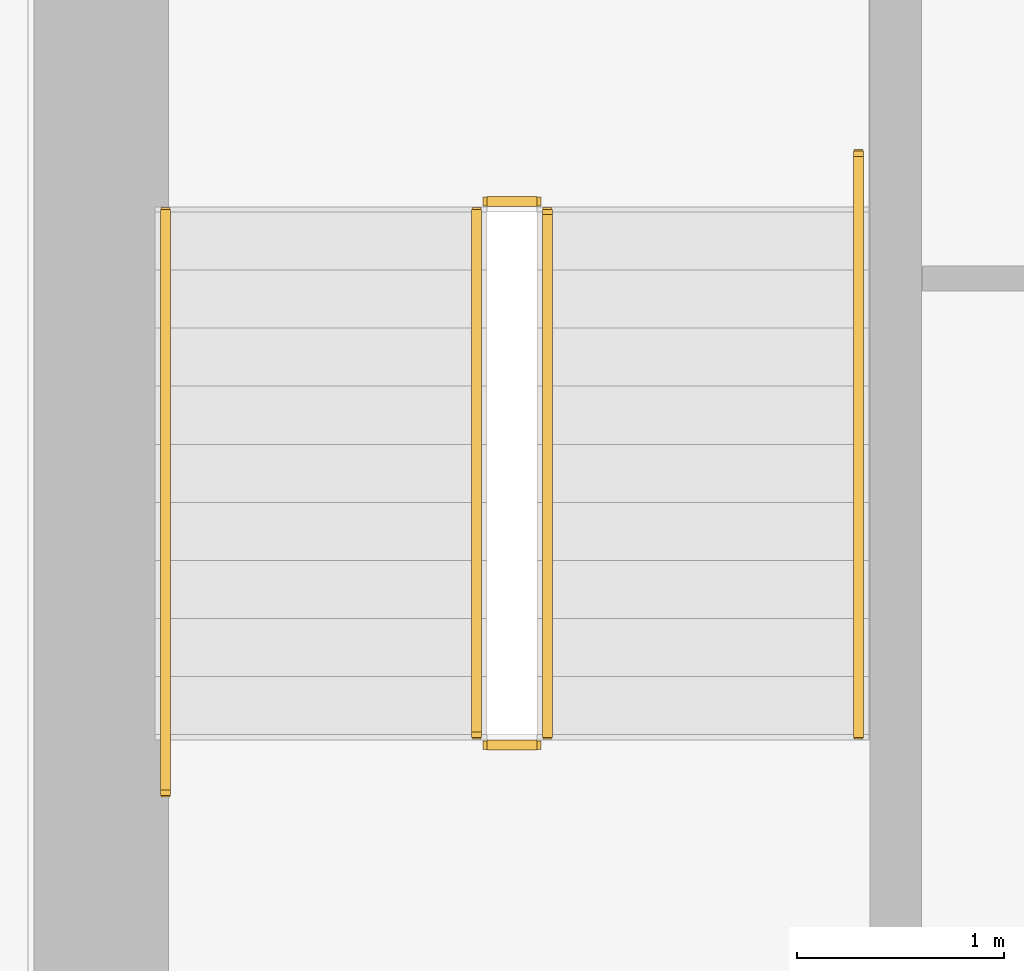
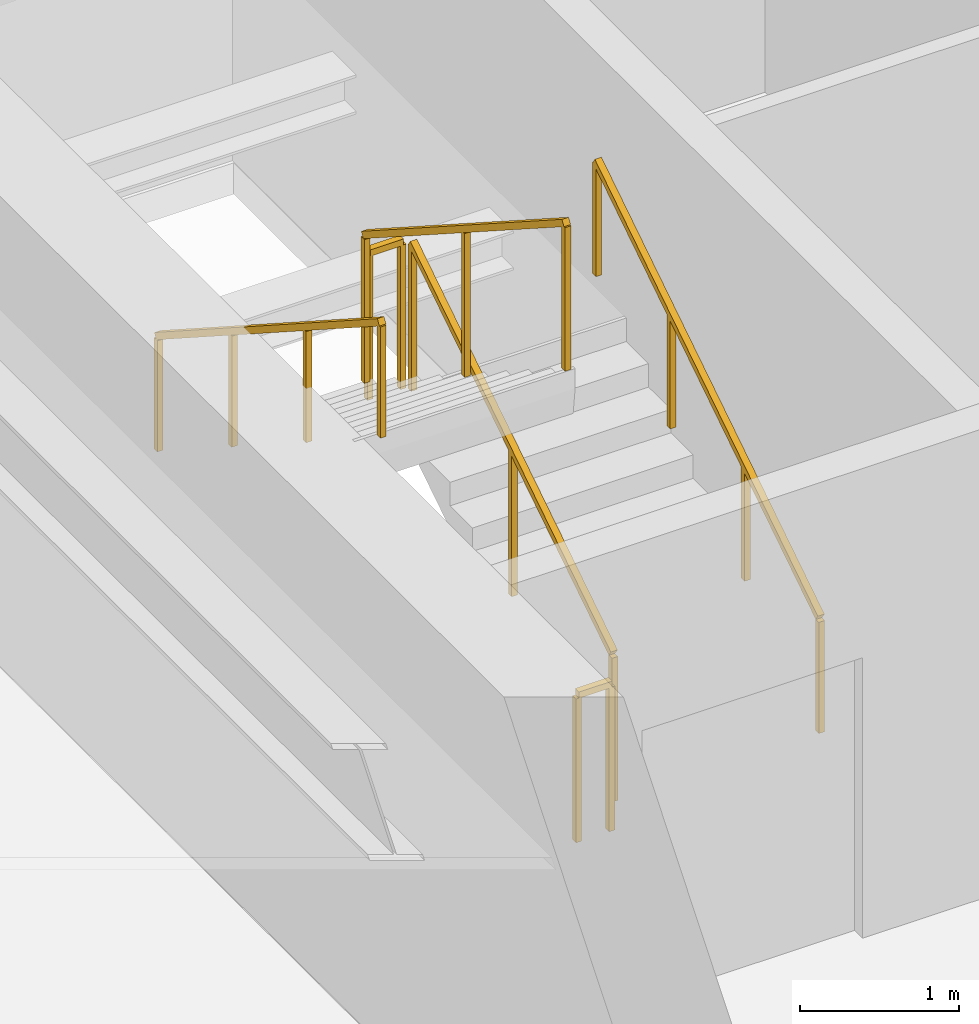
# One storey, part 33 of 36: 6 railings.
"""IFC4 building model written with IfcOpenShell, lengths in metres."""

from ifc_helpers import new_model, si_unit, direction, frame, origin, origin_2d, place, context, subcontext, project, spatial, rectangle, extrude, material, type_object, element, save


model = new_model("IFC4")

# Units and contexts
model_context = context("Model", 3, precision=1e-05, world=origin(), true_north=direction((0.0, 1.0)))
body_context = subcontext(model_context, "Body", "Model", "MODEL_VIEW")
ifc_project = project(units=[si_unit("LENGTHUNIT", "METRE"), si_unit("AREAUNIT", "SQUARE_METRE"), si_unit("VOLUMEUNIT", "CUBIC_METRE"), si_unit("PLANEANGLEUNIT", "RADIAN"), si_unit("MASSUNIT", "GRAM", prefix="KILO")], contexts=[model_context])

# Site, building, storey
site_placement = place(None, origin())
site = spatial("IfcSite", under=ifc_project, at=site_placement, CompositionType="ELEMENT")
building_placement = place(site_placement, origin())
building = spatial("IfcBuilding", under=site, at=building_placement, Name="Sumidabori Civic Tower", CompositionType="ELEMENT")
storey_placement = place(building_placement, frame((0.0, 0.0, 92.0)))
storey = spatial("IfcBuildingStorey", under=building, at=storey_placement, Name="L23", CompositionType="ELEMENT", Elevation=92.0)

# Railings
ifc_material_1 = material(Name="Stainless Steel Hairline Finish", Category="steel")
railing_type_1 = type_object("IfcRailingType", Name="RL-HANDRAIL", PredefinedType="HANDRAIL", material=ifc_material_1)
railing_1_placement = place(storey_placement, frame((-11.949951171875, 16.0, 0.179931640625)))
element("IfcRailing", 1, at=railing_1_placement, inside=storey, type_object=railing_type_1, Name="L23 ST-1 stair handrail 1", PredefinedType="HANDRAIL", context=body_context, shape_type="SweptSolid", body=[
    extrude(rectangle(XDim=0.048095703125, YDim=0.048095703125, at=origin_2d()), frame((0.0, 0.0, 0.8759765625), z_axis=(0.0, 0.84064222762, 0.54159084662), x_axis=(-1.0, 0.0, 0.0)), (0.0, 0.0, 1.0), 3.330810546875),
    extrude(rectangle(XDim=0.0419921875, YDim=0.0419921875, at=origin_2d()), origin(), (0.0, 0.0, 1.0), 0.851806640625),
    extrude(rectangle(XDim=0.0419921875, YDim=0.0419921875, at=origin_2d()), frame((0.0, 0.933349609375, 0.601318359375)), (0.0, 0.0, 1.0), 0.851806640625),
    extrude(rectangle(XDim=0.0419921875, YDim=0.0419921875, at=origin_2d()), frame((0.0, 1.86669921875, 1.20263671875)), (0.0, 0.0, 1.0), 0.851806640625),
    extrude(rectangle(XDim=0.0419921875, YDim=0.0419921875, at=origin_2d()), frame((0.0, 2.800048828125, 1.803955078125)), (0.0, 0.0, 1.0), 0.851806640625),
])
railing_2_placement = place(storey_placement, frame((-15.2900390625, 18.52001953125, 1.97998046875)))
element("IfcRailing", 2, at=railing_2_placement, inside=storey, type_object=railing_type_1, Name="L23 ST-1 stair handrail 2", PredefinedType="HANDRAIL", context=body_context, shape_type="SweptSolid", body=[
    extrude(rectangle(XDim=0.048095703125, YDim=0.048095703125, at=origin_2d()), frame((0.0, 0.0, 0.8759765625), z_axis=(0.0, -0.840675598268, 0.541539046124), x_axis=(1.0, 0.0, 0.0)), (0.0, 0.0, 1.0), 3.330810546875),
    extrude(rectangle(XDim=0.0419921875, YDim=0.0419921875, at=origin_2d()), origin(), (0.0, 0.0, 1.0), 0.851806640625),
    extrude(rectangle(XDim=0.0419921875, YDim=0.0419921875, at=origin_2d()), frame((0.0, -0.933349609375, 0.601318359375)), (0.0, 0.0, 1.0), 0.851806640625),
    extrude(rectangle(XDim=0.0419921875, YDim=0.0419921875, at=origin_2d()), frame((0.0, -1.86669921875, 1.202392578125)), (0.0, 0.0, 1.0), 0.851806640625),
    extrude(rectangle(XDim=0.0419921875, YDim=0.0419921875, at=origin_2d()), frame((0.0, -2.800048828125, 1.8037109375)), (0.0, 0.0, 1.0), 0.851806640625),
])
ifc_material_2 = material(Name="Steel SN490", Category="steel")
railing_type_2 = type_object("IfcRailingType", Name="RL-STAIR-GUARD", PredefinedType="GUARDRAIL", material=ifc_material_2)
railing_3_placement = place(storey_placement, frame((-13.449951171875, 16.0, 0.179931640625)))
element("IfcRailing", 3, at=railing_3_placement, inside=storey, type_object=railing_type_2, Name="L23 ST-1 stair guard 1", PredefinedType="GUARDRAIL", context=body_context, shape_type="SweptSolid", body=[
    extrude(rectangle(XDim=0.048095703125, YDim=0.048095703125, at=origin_2d()), frame((0.0, 0.0, 1.1259765625), z_axis=(0.0, 0.841162588446, 0.540782303519), x_axis=(-1.0, 0.0, 0.0)), (0.0, 0.0, 1.0), 2.995849609375),
    extrude(rectangle(XDim=0.0419921875, YDim=0.0419921875, at=origin_2d()), origin(), (0.0, 0.0, 1.0), 1.101806640625),
    extrude(rectangle(XDim=0.0419921875, YDim=0.0419921875, at=origin_2d()), frame((0.0, 1.260009765625, 0.81005859375)), (0.0, 0.0, 1.0), 1.101806640625),
    extrude(rectangle(XDim=0.0419921875, YDim=0.0419921875, at=origin_2d()), frame((0.0, 2.52001953125, 1.6201171875)), (0.0, 0.0, 1.0), 1.101806640625),
])
railing_4_placement = place(storey_placement, frame((-13.5, 18.570068359375, 1.800048828125)))
element("IfcRailing", 4, at=railing_4_placement, inside=storey, type_object=railing_type_2, Name="L23 ST-1 stair guard 2", PredefinedType="GUARDRAIL", context=body_context, shape_type="SweptSolid", body=[
    extrude(rectangle(XDim=0.048095703125, YDim=0.048095703125, at=origin_2d()), frame((0.0, 0.0, 1.1259765625), z_axis=(-1.0, 0.0, 0.0), x_axis=(0.0, -1.0, 0.0)), (0.0, 0.0, 1.0), 0.239990234375),
    extrude(rectangle(XDim=0.0419921875, YDim=0.0419921875, at=origin_2d()), origin(), (0.0, 0.0, 1.0), 1.101806640625),
    extrude(rectangle(XDim=0.0419921875, YDim=0.0419921875, at=origin_2d()), frame((-0.239990234375, 0.0, 0.0)), (0.0, 0.0, 1.0), 1.101806640625),
])
railing_5_placement = place(storey_placement, frame((-13.7900390625, 18.52001953125, 1.97998046875)))
element("IfcRailing", 5, at=railing_5_placement, inside=storey, type_object=railing_type_2, Name="L23 ST-1 stair guard 3", PredefinedType="GUARDRAIL", context=body_context, shape_type="SweptSolid", body=[
    extrude(rectangle(XDim=0.048095703125, YDim=0.048095703125, at=origin_2d()), frame((0.0, 0.0, 1.1259765625), z_axis=(0.0, -0.841162588446, 0.540782303519), x_axis=(1.0, 0.0, 0.0)), (0.0, 0.0, 1.0), 2.995849609375),
    extrude(rectangle(XDim=0.0419921875, YDim=0.0419921875, at=origin_2d()), origin(), (0.0, 0.0, 1.0), 1.101806640625),
    extrude(rectangle(XDim=0.0419921875, YDim=0.0419921875, at=origin_2d()), frame((0.0, -1.260009765625, 0.81005859375)), (0.0, 0.0, 1.0), 1.101806640625),
    extrude(rectangle(XDim=0.0419921875, YDim=0.0419921875, at=origin_2d()), frame((0.0, -2.52001953125, 1.6201171875)), (0.0, 0.0, 1.0), 1.101806640625),
])
railing_6_placement = place(storey_placement, frame((-13.5, 15.949951171875, 0.0)))
element("IfcRailing", 6, at=railing_6_placement, inside=storey, type_object=railing_type_2, Name="L23 ST-1 stair guard 4", PredefinedType="GUARDRAIL", context=body_context, shape_type="SweptSolid", body=[
    extrude(rectangle(XDim=0.048095703125, YDim=0.048095703125, at=origin_2d()), frame((0.0, 0.0, 1.1259765625), z_axis=(-1.0, 0.0, 0.0), x_axis=(0.0, -1.0, 0.0)), (0.0, 0.0, 1.0), 0.239990234375),
    extrude(rectangle(XDim=0.0419921875, YDim=0.0419921875, at=origin_2d()), origin(), (0.0, 0.0, 1.0), 1.101806640625),
    extrude(rectangle(XDim=0.0419921875, YDim=0.0419921875, at=origin_2d()), frame((-0.239990234375, 0.0, 0.0)), (0.0, 0.0, 1.0), 1.101806640625),
])

save(model, "model.ifc")
